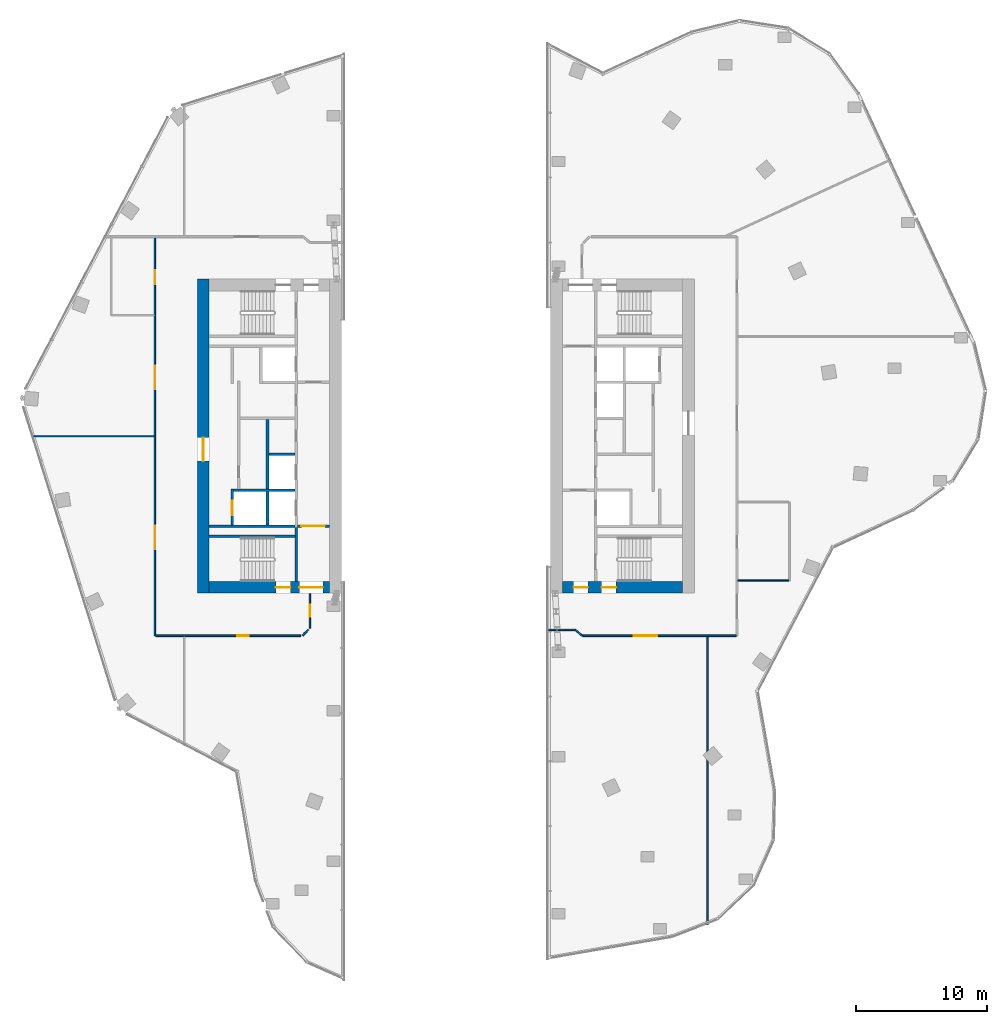
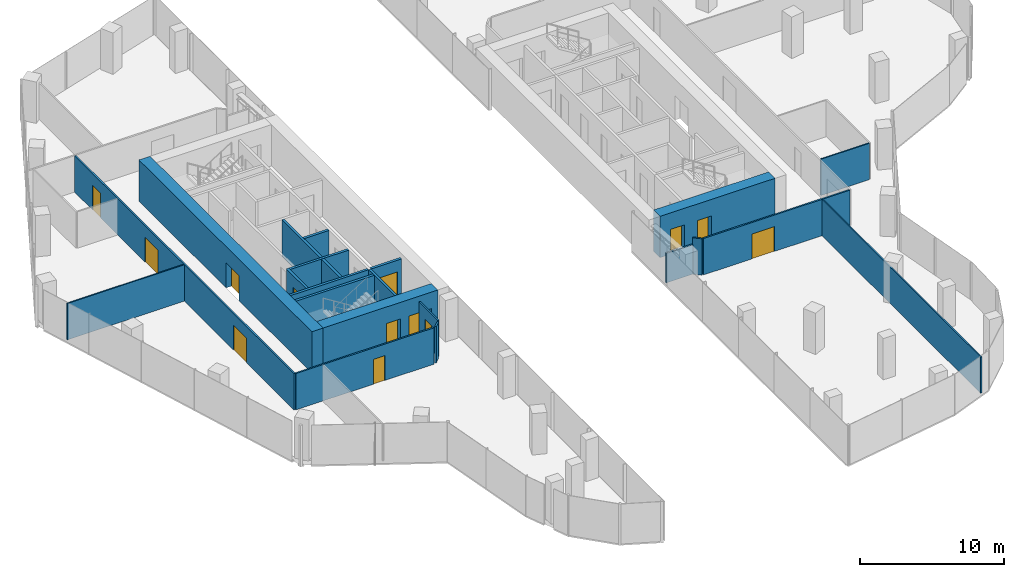
# One storey, part 18 of 23: 22 walls, 13 doors, 13 openings.
"""IFC4 building model written with IfcOpenShell, lengths in metres."""

from ifc_helpers import new_model, si_unit, direction, frame, frame_2d, origin, place, context, subcontext, project, spatial, rectangle, extrude, material, layer, layer_set, type_object, element, fill, save


model = new_model("IFC4")

# Units and contexts
model_context = context("Model", 3, precision=1e-05, world=origin(), true_north=direction((0.0, 1.0)))
body_context = subcontext(model_context, "Body", "Model", "MODEL_VIEW")
ifc_project = project(units=[si_unit("LENGTHUNIT", "METRE"), si_unit("AREAUNIT", "SQUARE_METRE"), si_unit("VOLUMEUNIT", "CUBIC_METRE"), si_unit("PLANEANGLEUNIT", "RADIAN"), si_unit("MASSUNIT", "GRAM", prefix="KILO")], contexts=[model_context])

# Site, building, storey
site_placement = place(None, origin())
site = spatial("IfcSite", under=ifc_project, at=site_placement, CompositionType="ELEMENT")
building_placement = place(site_placement, origin())
building = spatial("IfcBuilding", under=site, at=building_placement, Name="Orlundy Tower", CompositionType="ELEMENT")
storey_placement = place(building_placement, frame((0.0, 0.0, 260.5)))
storey = spatial("IfcBuildingStorey", under=building, at=storey_placement, Name="L69", CompositionType="ELEMENT", Elevation=260.5)

# Wall, openings, doors
ifc_material_1 = material(Name="Concrete C60/75", Category="concrete")
ifc_layer_1 = layer(ifc_material_1, 0.89990234375)
ifc_layer_set_1 = layer_set([ifc_layer_1], Name="CORE WALL 900 C60/75")
wall_type_1 = type_object("IfcWallType", Name="CORE WALL 900 C60/75", PredefinedType="SHEAR", material=ifc_layer_set_1)
wall_1_placement = place(storey_placement, frame((-18.10009765625, -11.550048828125, 0.0), z_axis=(0.0, 0.0, 1.0), x_axis=(1.0, 0.0, 0.0)))
wall_1 = element("IfcWall", 1, at=wall_1_placement, inside=storey, type_object=wall_type_1, Name="Core wall W-S L69", PredefinedType="SHEAR", context=body_context, shape_type="SweptSolid", body=[
    extrude(rectangle(XDim=9.2001953125, YDim=0.89990234375, at=frame_2d((4.60009765625, 0.0))), origin(), (0.0, 0.0, 1.0), 3.5),
])
opening_1_placement = place(wall_1_placement, frame((6.89990234375, 0.0, 0.0)))
opening_1 = element("IfcOpeningElement", 2, at=opening_1_placement, cuts=wall_1, Name="Opening 52012", PredefinedType="OPENING", context=body_context, shape_type="SweptSolid", body=[
    extrude(rectangle(XDim=1.800048828125, YDim=2.10009765625, at=frame_2d((0.89990234375, 1.050048828125))), frame((0.0, 0.4599609375, 0.0), z_axis=(0.0, -1.0, 0.0), x_axis=(1.0, 0.0, 0.0)), (0.0, 0.0, 1.0), 0.919921875),
])
opening_2_placement = place(wall_1_placement, frame((5.10009765625, 0.0, 0.0)))
opening_2 = element("IfcOpeningElement", 3, at=opening_2_placement, cuts=wall_1, Name="Opening 52014", PredefinedType="OPENING", context=body_context, shape_type="SweptSolid", body=[
    extrude(rectangle(XDim=1.10009765625, YDim=2.10009765625, at=frame_2d((0.550048828125, 1.050048828125))), frame((0.0, 0.4599609375, 0.0), z_axis=(0.0, -1.0, 0.0), x_axis=(1.0, 0.0, 0.0)), (0.0, 0.0, 1.0), 0.919921875),
])
ifc_material_2 = material(Name="Timber door set", Category="wood")
door_type_1 = type_object("IfcDoorType", Name="Lobby Door 1800x2100", OperationType="DOUBLE_DOOR_DOUBLE_SWING", PredefinedType="DOOR", material=ifc_material_2)
door_1_placement = place(opening_1_placement, origin())
door_1 = element("IfcDoor", 4, at=door_1_placement, inside=storey, type_object=door_type_1, Name="Passage door 52012", OperationType="SINGLE_SWING_RIGHT", OverallHeight=2.10009765625, OverallWidth=1.800048828125, PredefinedType="DOOR", context=body_context, shape_type="SweptSolid", body=[
    extrude(rectangle(XDim=1.800048828125, YDim=2.10009765625, at=frame_2d((0.89990234375, 1.050048828125))), frame((0.0, 0.02490234375, 0.0), z_axis=(0.0, -1.0, 0.0), x_axis=(1.0, 0.0, 0.0)), (0.0, 0.0, 1.0), 0.050048828125),
])
fill(opening_1, door_1)
ifc_material_3 = material(Name="Steel door set", Category="steel")
door_type_2 = type_object("IfcDoorType", Name="Stair Door 1100x2100", OperationType="SINGLE_SWING_LEFT", PredefinedType="DOOR", material=ifc_material_3)
door_2_placement = place(opening_2_placement, origin())
door_2 = element("IfcDoor", 5, at=door_2_placement, inside=storey, type_object=door_type_2, Name="Stair door 52014", OperationType="SINGLE_SWING_RIGHT", OverallHeight=2.10009765625, OverallWidth=1.10009765625, PredefinedType="DOOR", context=body_context, shape_type="SweptSolid", body=[
    extrude(rectangle(XDim=1.10009765625, YDim=2.10009765625, at=frame_2d((0.550048828125, 1.050048828125))), frame((0.0, 0.02490234375, 0.0), z_axis=(0.0, -1.0, 0.0), x_axis=(1.0, 0.0, 0.0)), (0.0, 0.0, 1.0), 0.050048828125),
])
fill(opening_2, door_2)

# Wall, opening, door
wall_2_placement = place(storey_placement, frame((-18.550048828125, -12.0, 0.0), z_axis=(0.0, 0.0, 1.0), x_axis=(0.0, 1.0, 0.0)))
wall_2 = element("IfcWall", 6, at=wall_2_placement, inside=storey, type_object=wall_type_1, Name="Core wall W-W L69", PredefinedType="SHEAR", context=body_context, shape_type="SweptSolid", body=[
    extrude(rectangle(XDim=24.0, YDim=0.89990234375, at=frame_2d((12.0, 0.0))), origin(), (0.0, 0.0, 1.0), 3.5),
])
opening_3_placement = place(wall_2_placement, frame((10.10009765625, 0.0, 0.0)))
opening_3 = element("IfcOpeningElement", 7, at=opening_3_placement, cuts=wall_2, Name="Opening 52008", PredefinedType="OPENING", context=body_context, shape_type="SweptSolid", body=[
    extrude(rectangle(XDim=1.800048828125, YDim=2.10009765625, at=frame_2d((0.89990234375, 1.050048828125))), frame((0.0, 0.4599609375, 0.0), z_axis=(0.0, -1.0, 0.0), x_axis=(1.0, 0.0, 0.0)), (0.0, 0.0, 1.0), 0.919921875),
])
door_3_placement = place(opening_3_placement, origin())
door_3 = element("IfcDoor", 8, at=door_3_placement, inside=storey, type_object=door_type_1, Name="Lift lobby door 52008", OperationType="SINGLE_SWING_LEFT", OverallHeight=2.10009765625, OverallWidth=1.800048828125, PredefinedType="DOOR", context=body_context, shape_type="SweptSolid", body=[
    extrude(rectangle(XDim=1.800048828125, YDim=2.10009765625, at=frame_2d((0.89990234375, 1.050048828125))), frame((0.0, 0.02490234375, 0.0), z_axis=(0.0, -1.0, 0.0), x_axis=(1.0, 0.0, 0.0)), (0.0, 0.0, 1.0), 0.050048828125),
])
fill(opening_3, door_3)

# Wall, openings, doors
wall_3_placement = place(storey_placement, frame((8.89990234375, -11.550048828125, 0.0), z_axis=(0.0, 0.0, 1.0), x_axis=(1.0, 0.0, 0.0)))
wall_3 = element("IfcWall", 9, at=wall_3_placement, inside=storey, type_object=wall_type_1, Name="Core wall E-S L69", PredefinedType="SHEAR", context=body_context, shape_type="SweptSolid", body=[
    extrude(rectangle(XDim=9.2001953125, YDim=0.89990234375, at=frame_2d((4.60009765625, 0.0))), origin(), (0.0, 0.0, 1.0), 3.5),
])
opening_4_placement = place(wall_3_placement, frame((0.85009765625, 0.0, 0.0)))
opening_4 = element("IfcOpeningElement", 10, at=opening_4_placement, cuts=wall_3, Name="Opening 52058", PredefinedType="OPENING", context=body_context, shape_type="SweptSolid", body=[
    extrude(rectangle(XDim=1.10009765625, YDim=2.10009765625, at=frame_2d((0.550048828125, 1.050048828125))), frame((0.0, 0.4599609375, 0.0), z_axis=(0.0, -1.0, 0.0), x_axis=(1.0, 0.0, 0.0)), (0.0, 0.0, 1.0), 0.919921875),
])
opening_5_placement = place(wall_3_placement, frame((3.0, 0.0, 0.0)))
opening_5 = element("IfcOpeningElement", 11, at=opening_5_placement, cuts=wall_3, Name="Opening 52062", PredefinedType="OPENING", context=body_context, shape_type="SweptSolid", body=[
    extrude(rectangle(XDim=1.10009765625, YDim=2.10009765625, at=frame_2d((0.550048828125, 1.050048828125))), frame((0.0, 0.4599609375, 0.0), z_axis=(0.0, -1.0, 0.0), x_axis=(1.0, 0.0, 0.0)), (0.0, 0.0, 1.0), 0.919921875),
])
ifc_material_4 = material(Name="Steel door set", Category="steel")
door_type_3 = type_object("IfcDoorType", Name="Fire-fighting Lobby Door 1100x2100", OperationType="SINGLE_SWING_LEFT", PredefinedType="DOOR", material=ifc_material_4)
door_4_placement = place(opening_4_placement, origin())
door_4 = element("IfcDoor", 12, at=door_4_placement, inside=storey, type_object=door_type_3, Name="Fire-fighting lobby door 52058", OperationType="SINGLE_SWING_LEFT", OverallHeight=2.10009765625, OverallWidth=1.10009765625, PredefinedType="DOOR", context=body_context, shape_type="SweptSolid", body=[
    extrude(rectangle(XDim=1.10009765625, YDim=2.10009765625, at=frame_2d((0.550048828125, 1.050048828125))), frame((0.0, 0.02490234375, 0.0), z_axis=(0.0, -1.0, 0.0), x_axis=(1.0, 0.0, 0.0)), (0.0, 0.0, 1.0), 0.050048828125),
])
fill(opening_4, door_4)
door_5_placement = place(opening_5_placement, origin())
door_5 = element("IfcDoor", 13, at=door_5_placement, inside=storey, type_object=door_type_2, Name="Stair door 52062", OperationType="SINGLE_SWING_LEFT", OverallHeight=2.10009765625, OverallWidth=1.10009765625, PredefinedType="DOOR", context=body_context, shape_type="SweptSolid", body=[
    extrude(rectangle(XDim=1.10009765625, YDim=2.10009765625, at=frame_2d((0.550048828125, 1.050048828125))), frame((0.0, 0.02490234375, 0.0), z_axis=(0.0, -1.0, 0.0), x_axis=(1.0, 0.0, 0.0)), (0.0, 0.0, 1.0), 0.050048828125),
])
fill(opening_5, door_5)

# Walls
ifc_material_5 = material(Name="Gypsum board partition")
ifc_layer_2 = layer(ifc_material_5, 0.10009765625)
ifc_layer_set_2 = layer_set([ifc_layer_2], Name="Floor partition 100")
wall_type_2 = type_object("IfcWallType", Name="Floor partition 100", PredefinedType="PARTITIONING", material=ifc_layer_set_2)
wall_4_placement = place(storey_placement, frame((22.31396484375, -11.030029296875, 0.0), z_axis=(0.0, 0.0, 1.0), x_axis=(1.0, 0.0, 0.0)))
element("IfcWall", 14, at=wall_4_placement, inside=storey, type_object=wall_type_2, Name="wall-int-L69-004", PredefinedType="PARTITIONING", context=body_context, shape_type="SweptSolid", body=[
    extrude(rectangle(XDim=3.885009765625, YDim=0.10009765625, at=frame_2d((1.9423828125, 0.0))), origin(), (0.0, 0.0, 1.0), 3.080078125),
])
wall_5_placement = place(storey_placement, frame((-31.68994140625, 0.0, 0.0), z_axis=(0.0, 0.0, 1.0), x_axis=(1.0, 0.0, 0.0)))
element("IfcWall", 15, at=wall_5_placement, inside=storey, type_object=wall_type_2, Name="wall-int-L69-006", PredefinedType="PARTITIONING", context=body_context, shape_type="SweptSolid", body=[
    extrude(rectangle(XDim=9.3779296875, YDim=0.10009765625, at=frame_2d((4.68896484375, 0.0))), origin(), (0.0, 0.0, 1.0), 3.080078125),
])
wall_6_placement = place(storey_placement, frame((20.0, -37.323974609375, 0.0), z_axis=(0.0, 0.0, 1.0), x_axis=(0.0, 1.0, 0.0)))
element("IfcWall", 16, at=wall_6_placement, inside=storey, type_object=wall_type_2, Name="wall-int-L69-017", PredefinedType="PARTITIONING", context=body_context, shape_type="SweptSolid", body=[
    extrude(rectangle(XDim=22.011962890625, YDim=0.10009765625, at=frame_2d((11.005859375, 0.0))), origin(), (0.0, 0.0, 1.0), 3.080078125),
])

# Wall, opening, door
ifc_material_6 = material(Name="Gypsum board partition, double layer")
ifc_layer_3 = layer(ifc_material_6, 0.125)
ifc_layer_set_3 = layer_set([ifc_layer_3], Name="Floor partition 125")
wall_type_3 = type_object("IfcWallType", Name="Floor partition 125", PredefinedType="PARTITIONING", material=ifc_layer_set_3)
wall_7_placement = place(storey_placement, frame((-11.10595703125, -15.25, 0.0), z_axis=(0.0, 0.0, 1.0), x_axis=(-1.0, 0.0, 0.0)))
wall_7 = element("IfcWall", 17, at=wall_7_placement, inside=storey, type_object=wall_type_3, Name="wall-int-L69-001", PredefinedType="PARTITIONING", context=body_context, shape_type="SweptSolid", body=[
    extrude(rectangle(XDim=11.08203125, YDim=0.125, at=frame_2d((5.541015625, 0.0))), origin(), (0.0, 0.0, 1.0), 3.080078125),
])
opening_6_placement = place(wall_7_placement, frame((3.951904296875, 0.0, 0.0)))
opening_6 = element("IfcOpeningElement", 18, at=opening_6_placement, cuts=wall_7, Name="Opening 52101", PredefinedType="OPENING", context=body_context, shape_type="SweptSolid", body=[
    extrude(rectangle(XDim=0.89990234375, YDim=2.10009765625, at=frame_2d((0.449951171875, 1.050048828125))), frame((0.0, 0.072509765625, 0.0), z_axis=(0.0, -1.0, 0.0), x_axis=(1.0, 0.0, 0.0)), (0.0, 0.0, 1.0), 0.14501953125),
])
ifc_material_7 = material(Name="Timber door leaf", Category="wood")
door_type_4 = type_object("IfcDoorType", Name="Floor door single 900 FD30S", OperationType="NOTDEFINED", PredefinedType="DOOR", material=ifc_material_7)
door_6_placement = place(opening_6_placement, origin())
door_6 = element("IfcDoor", 19, at=door_6_placement, inside=storey, type_object=door_type_4, Name="Door 52101", OperationType="SINGLE_SWING_LEFT", OverallHeight=2.10009765625, OverallWidth=0.89990234375, PredefinedType="DOOR", context=body_context, shape_type="SweptSolid", body=[
    extrude(rectangle(XDim=0.89990234375, YDim=2.10009765625, at=frame_2d((0.449951171875, 1.050048828125))), frame((0.0, 0.02490234375, 0.0), z_axis=(0.0, -1.0, 0.0), x_axis=(1.0, 0.0, 0.0)), (0.0, 0.0, 1.0), 0.050048828125),
])
fill(opening_6, door_6)

wall_8_placement = place(storey_placement, frame((22.18896484375, -15.25, 0.0), z_axis=(0.0, 0.0, 1.0), x_axis=(-1.0, 0.0, 0.0)))
wall_8 = element("IfcWall", 20, at=wall_8_placement, inside=storey, type_object=wall_type_3, Name="wall-int-L69-002", PredefinedType="PARTITIONING", context=body_context, shape_type="SweptSolid", body=[
    extrude(rectangle(XDim=11.72607421875, YDim=0.125, at=frame_2d((5.863037109375, 0.0))), origin(), (0.0, 0.0, 1.0), 3.080078125),
])
opening_7_placement = place(wall_8_placement, frame((6.03857421875, 0.0, 0.0)))
opening_7 = element("IfcOpeningElement", 21, at=opening_7_placement, cuts=wall_8, Name="Opening 52103", PredefinedType="OPENING", context=body_context, shape_type="SweptSolid", body=[
    extrude(rectangle(XDim=1.800048828125, YDim=2.10009765625, at=frame_2d((0.89990234375, 1.050048828125))), frame((0.0, 0.072509765625, 0.0), z_axis=(0.0, -1.0, 0.0), x_axis=(1.0, 0.0, 0.0)), (0.0, 0.0, 1.0), 0.14501953125),
])
ifc_material_8 = material(Name="Timber door leaf", Category="wood")
door_type_5 = type_object("IfcDoorType", Name="Floor door double 1800 FD30S", OperationType="NOTDEFINED", PredefinedType="DOOR", material=ifc_material_8)
door_7_placement = place(opening_7_placement, origin())
door_7 = element("IfcDoor", 22, at=door_7_placement, inside=storey, type_object=door_type_5, Name="Door 52103", OperationType="DOUBLE_DOOR_SINGLE_SWING", OverallHeight=2.10009765625, OverallWidth=1.800048828125, PredefinedType="DOOR", context=body_context, shape_type="SweptSolid", body=[
    extrude(rectangle(XDim=1.800048828125, YDim=2.10009765625, at=frame_2d((0.89990234375, 1.050048828125))), frame((0.0, 0.02490234375, 0.0), z_axis=(0.0, -1.0, 0.0), x_axis=(1.0, 0.0, 0.0)), (0.0, 0.0, 1.0), 0.050048828125),
])
fill(opening_7, door_7)

# Walls
wall_9_placement = place(storey_placement, frame((-10.949951171875, -15.22900390625, 0.0), z_axis=(0.0, 0.0, 1.0), x_axis=(0.698110320765, 0.715990209459, 0.0)))
element("IfcWall", 23, at=wall_9_placement, inside=storey, type_object=wall_type_3, Name="wall-int-L69-013", PredefinedType="PARTITIONING", context=body_context, shape_type="SweptSolid", body=[
    extrude(rectangle(XDim=0.614501953125, YDim=0.125, at=frame_2d((0.30712890625, 0.0))), origin(), (0.0, 0.0, 1.0), 3.080078125),
])
wall_10_placement = place(storey_placement, frame((10.39990234375, -15.25, 0.0), z_axis=(0.0, 0.0, 1.0), x_axis=(-0.751218826875, 0.660053235845, 0.0)))
element("IfcWall", 24, at=wall_10_placement, inside=storey, type_object=wall_type_3, Name="wall-int-L69-018", PredefinedType="PARTITIONING", context=body_context, shape_type="SweptSolid", body=[
    extrude(rectangle(XDim=0.68017578125, YDim=0.125, at=frame_2d((0.340087890625, 0.0))), origin(), (0.0, 0.0, 1.0), 3.080078125),
])

# Wall, opening, door
wall_11_placement = place(storey_placement, frame((-10.39892578125, -12.050048828125, 0.0), z_axis=(0.0, 0.0, 1.0), x_axis=(0.0, -1.0, 0.0)))
wall_11 = element("IfcWall", 25, at=wall_11_placement, inside=storey, type_object=wall_type_3, Name="wall-int-L69-020", PredefinedType="PARTITIONING", context=body_context, shape_type="SweptSolid", body=[
    extrude(rectangle(XDim=2.620849609375, YDim=0.125, at=frame_2d((1.310546875, 0.0))), origin(), (0.0, 0.0, 1.0), 3.080078125),
])
opening_8_placement = place(wall_11_placement, frame((0.85009765625, 0.0, 0.0)))
opening_8 = element("IfcOpeningElement", 26, at=opening_8_placement, cuts=wall_11, Name="Opening 52102", PredefinedType="OPENING", context=body_context, shape_type="SweptSolid", body=[
    extrude(rectangle(XDim=0.89990234375, YDim=2.10009765625, at=frame_2d((0.449951171875, 1.050048828125))), frame((0.0, 0.072509765625, 0.0), z_axis=(0.0, -1.0, 0.0), x_axis=(1.0, 0.0, 0.0)), (0.0, 0.0, 1.0), 0.14501953125),
])
door_8_placement = place(opening_8_placement, origin())
door_8 = element("IfcDoor", 27, at=door_8_placement, inside=storey, type_object=door_type_4, Name="Door 52102", OperationType="SINGLE_SWING_LEFT", OverallHeight=2.10009765625, OverallWidth=0.89990234375, PredefinedType="DOOR", context=body_context, shape_type="SweptSolid", body=[
    extrude(rectangle(XDim=0.89990234375, YDim=2.10009765625, at=frame_2d((0.449951171875, 1.050048828125))), frame((0.0, 0.02490234375, 0.0), z_axis=(0.0, -1.0, 0.0), x_axis=(1.0, 0.0, 0.0)), (0.0, 0.0, 1.0), 0.050048828125),
])
fill(opening_8, door_8)

# Wall, openings, doors
wall_12_placement = place(storey_placement, frame((-22.25, -15.25, 0.0), z_axis=(0.0, 0.0, 1.0), x_axis=(0.0, 1.0, 0.0)))
wall_12 = element("IfcWall", 28, at=wall_12_placement, inside=storey, type_object=wall_type_3, Name="wall-int-L69-024", PredefinedType="PARTITIONING", context=body_context, shape_type="SweptSolid", body=[
    extrude(rectangle(XDim=30.43701171875, YDim=0.125, at=frame_2d((15.218505859375, 0.0))), origin(), (0.0, 0.0, 1.0), 3.080078125),
])
opening_9_placement = place(wall_12_placement, frame((6.60009765625, 0.0, 0.0)))
opening_9 = element("IfcOpeningElement", 29, at=opening_9_placement, cuts=wall_12, Name="Opening 52100", PredefinedType="OPENING", context=body_context, shape_type="SweptSolid", body=[
    extrude(rectangle(XDim=1.800048828125, YDim=2.10009765625, at=frame_2d((0.89990234375, 1.050048828125))), frame((0.0, 0.072509765625, 0.0), z_axis=(0.0, -1.0, 0.0), x_axis=(1.0, 0.0, 0.0)), (0.0, 0.0, 1.0), 0.14501953125),
])
opening_10_placement = place(wall_12_placement, frame((18.85009765625, 0.0, 0.0)))
opening_10 = element("IfcOpeningElement", 30, at=opening_10_placement, cuts=wall_12, Name="Opening 52109", PredefinedType="OPENING", context=body_context, shape_type="SweptSolid", body=[
    extrude(rectangle(XDim=1.800048828125, YDim=2.10009765625, at=frame_2d((0.89990234375, 1.050048828125))), frame((0.0, 0.072509765625, 0.0), z_axis=(0.0, -1.0, 0.0), x_axis=(1.0, 0.0, 0.0)), (0.0, 0.0, 1.0), 0.14501953125),
])
opening_11_placement = place(wall_12_placement, frame((26.84912109375, 0.0, 0.0)))
opening_11 = element("IfcOpeningElement", 31, at=opening_11_placement, cuts=wall_12, Name="Opening 52111", PredefinedType="OPENING", context=body_context, shape_type="SweptSolid", body=[
    extrude(rectangle(XDim=1.10009765625, YDim=2.10009765625, at=frame_2d((0.550048828125, 1.050048828125))), frame((0.0, 0.072509765625, 0.0), z_axis=(0.0, -1.0, 0.0), x_axis=(1.0, 0.0, 0.0)), (0.0, 0.0, 1.0), 0.14501953125),
])
door_9_placement = place(opening_9_placement, origin())
door_9 = element("IfcDoor", 32, at=door_9_placement, inside=storey, type_object=door_type_5, Name="Door 52100", OperationType="DOUBLE_DOOR_SINGLE_SWING", OverallHeight=2.10009765625, OverallWidth=1.800048828125, PredefinedType="DOOR", context=body_context, shape_type="SweptSolid", body=[
    extrude(rectangle(XDim=1.800048828125, YDim=2.10009765625, at=frame_2d((0.89990234375, 1.050048828125))), frame((0.0, 0.02490234375, 0.0), z_axis=(0.0, -1.0, 0.0), x_axis=(1.0, 0.0, 0.0)), (0.0, 0.0, 1.0), 0.050048828125),
])
fill(opening_9, door_9)
door_10_placement = place(opening_10_placement, origin())
door_10 = element("IfcDoor", 33, at=door_10_placement, inside=storey, type_object=door_type_5, Name="Door 52109", OperationType="DOUBLE_DOOR_SINGLE_SWING", OverallHeight=2.10009765625, OverallWidth=1.800048828125, PredefinedType="DOOR", context=body_context, shape_type="SweptSolid", body=[
    extrude(rectangle(XDim=1.800048828125, YDim=2.10009765625, at=frame_2d((0.89990234375, 1.050048828125))), frame((0.0, 0.02490234375, 0.0), z_axis=(0.0, -1.0, 0.0), x_axis=(1.0, 0.0, 0.0)), (0.0, 0.0, 1.0), 0.050048828125),
])
fill(opening_10, door_10)
ifc_material_9 = material(Name="Timber door leaf", Category="wood")
door_type_6 = type_object("IfcDoorType", Name="Floor door xwide 1100 FD30S", OperationType="NOTDEFINED", PredefinedType="DOOR", material=ifc_material_9)
door_11_placement = place(opening_11_placement, origin())
door_11 = element("IfcDoor", 34, at=door_11_placement, inside=storey, type_object=door_type_6, Name="Door 52111", OperationType="SINGLE_SWING_RIGHT", OverallHeight=2.10009765625, OverallWidth=1.10009765625, PredefinedType="DOOR", context=body_context, shape_type="SweptSolid", body=[
    extrude(rectangle(XDim=1.10009765625, YDim=2.10009765625, at=frame_2d((0.550048828125, 1.050048828125))), frame((0.0, 0.02490234375, 0.0), z_axis=(0.0, -1.0, 0.0), x_axis=(1.0, 0.0, 0.0)), (0.0, 0.0, 1.0), 0.050048828125),
])
fill(opening_11, door_11)

# Walls
ifc_material_10 = material(Name="Gypsum board partition, double layer")
ifc_layer_4 = layer(ifc_material_10, 0.125)
ifc_layer_set_4 = layer_set([ifc_layer_4], Name="Floor partition 125 B")
wall_type_4 = type_object("IfcWallType", Name="Floor partition 125 B", PredefinedType="PARTITIONING", material=ifc_layer_set_4)
wall_13_placement = place(storey_placement, frame((7.75, -14.801025390625, 0.0), z_axis=(0.0, 0.0, 1.0), x_axis=(1.0, 0.0, 0.0)))
element("IfcWall", 35, at=wall_13_placement, inside=storey, type_object=wall_type_4, Name="wall-int-L69-003", PredefinedType="PARTITIONING", context=body_context, shape_type="SweptSolid", body=[
    extrude(rectangle(XDim=2.138916015625, YDim=0.125, at=frame_2d((1.0693359375, 0.0))), origin(), (0.0, 0.0, 1.0), 2.496337890625),
])
ifc_material_11 = material(Name="Concrete C40/50", Category="concrete")
ifc_layer_5 = layer(ifc_material_11, 0.199951171875)
ifc_layer_set_5 = layer_set([ifc_layer_5], Name="Load-bearing Shaft Wall 200")
wall_type_5 = type_object("IfcWallType", Name="Load-bearing Shaft Wall 200", PredefinedType="SOLIDWALL", material=ifc_layer_set_5)
wall_14_placement = place(storey_placement, frame((-11.43994140625, -11.10009765625, 0.0), z_axis=(0.0, 0.0, 1.0), x_axis=(0.0, 1.0, 0.0)))
element("IfcWall", 36, at=wall_14_placement, inside=storey, type_object=wall_type_5, Name="Shaft wall W52-stair-end-s", PredefinedType="SOLIDWALL", context=body_context, shape_type="SweptSolid", body=[
    extrude(rectangle(XDim=4.125, YDim=0.199951171875, at=frame_2d((2.0625, 0.0))), origin(), (0.0, 0.0, 1.0), 3.090087890625),
])
wall_15_placement = place(storey_placement, frame((-11.5400390625, -7.64990234375, 0.0), z_axis=(0.0, 0.0, 1.0), x_axis=(-1.0, 0.0, 0.0)))
element("IfcWall", 37, at=wall_15_placement, inside=storey, type_object=wall_type_5, Name="Shaft wall W52-stair-side-s", PredefinedType="SOLIDWALL", context=body_context, shape_type="SweptSolid", body=[
    extrude(rectangle(XDim=6.56005859375, YDim=0.199951171875, at=frame_2d((3.280029296875, 0.0))), origin(), (0.0, 0.0, 1.0), 3.090087890625),
])

# Wall, opening, door
ifc_material_12 = material(Name="Gypsum board partition on steel studs", Category="steel")
ifc_layer_6 = layer(ifc_material_12, 0.199951171875)
ifc_layer_set_6 = layer_set([ifc_layer_6], Name="Partition 200")
wall_type_6 = type_object("IfcWallType", Name="Partition 200", PredefinedType="PARTITIONING", material=ifc_layer_set_6)
wall_16_placement = place(storey_placement, frame((-8.89990234375, -6.875, 0.0), z_axis=(0.0, 0.0, 1.0), x_axis=(-1.0, 0.0, 0.0)))
wall_16 = element("IfcWall", 38, at=wall_16_placement, inside=storey, type_object=wall_type_6, Name="Partition wall W52-end-s", PredefinedType="PARTITIONING", context=body_context, shape_type="SweptSolid", body=[
    extrude(rectangle(XDim=2.440185546875, YDim=0.199951171875, at=frame_2d((1.22021484375, 0.0))), origin(), (0.0, 0.0, 1.0), 3.090087890625),
])
opening_12_placement = place(wall_16_placement, frame((0.35009765625, 0.0, 0.0)))
opening_12 = element("IfcOpeningElement", 39, at=opening_12_placement, cuts=wall_16, Name="Opening 52011", PredefinedType="OPENING", context=body_context, shape_type="SweptSolid", body=[
    extrude(rectangle(XDim=1.800048828125, YDim=2.10009765625, at=frame_2d((0.89990234375, 1.050048828125))), frame((0.0, 0.110107421875, 0.0), z_axis=(0.0, -1.0, 0.0), x_axis=(1.0, 0.0, 0.0)), (0.0, 0.0, 1.0), 0.22021484375),
])
door_12_placement = place(opening_12_placement, origin())
door_12 = element("IfcDoor", 40, at=door_12_placement, inside=storey, type_object=door_type_1, Name="Lift lobby to passage door 52011", OperationType="DOUBLE_DOOR_DOUBLE_SWING", OverallHeight=2.10009765625, OverallWidth=1.800048828125, PredefinedType="DOOR", context=body_context, shape_type="SweptSolid", body=[
    extrude(rectangle(XDim=1.800048828125, YDim=2.10009765625, at=frame_2d((0.89990234375, 1.050048828125))), frame((0.0, 0.02490234375, 0.0), z_axis=(0.0, -1.0, 0.0), x_axis=(1.0, 0.0, 0.0)), (0.0, 0.0, 1.0), 0.050048828125),
])
fill(opening_12, door_12)

# Walls
ifc_material_13 = material(Name="Fire-rated blockwork shaft wall", Category="masonry")
ifc_layer_7 = layer(ifc_material_13, 0.199951171875)
ifc_layer_set_7 = layer_set([ifc_layer_7], Name="Shaft Wall 200")
wall_type_7 = type_object("IfcWallType", Name="Shaft Wall 200", PredefinedType="SOLIDWALL", material=ifc_layer_set_7)
wall_17_placement = place(storey_placement, frame((-11.5400390625, -6.875, 0.0), z_axis=(0.0, 0.0, 1.0), x_axis=(-1.0, 0.0, 0.0)))
element("IfcWall", 41, at=wall_17_placement, inside=storey, type_object=wall_type_7, Name="Shaft wall W52-zone-s", PredefinedType="SOLIDWALL", context=body_context, shape_type="SweptSolid", body=[
    extrude(rectangle(XDim=6.56005859375, YDim=0.199951171875, at=frame_2d((3.280029296875, 0.0))), origin(), (0.0, 0.0, 1.0), 3.090087890625),
])
wall_18_placement = place(storey_placement, frame((-11.5400390625, -4.125, 0.0), z_axis=(0.0, 0.0, 1.0), x_axis=(-1.0, 0.0, 0.0)))
element("IfcWall", 42, at=wall_18_placement, inside=storey, type_object=wall_type_7, Name="Shaft wall W52-cross-4.125", PredefinedType="SOLIDWALL", context=body_context, shape_type="SweptSolid", body=[
    extrude(rectangle(XDim=4.699951171875, YDim=0.199951171875, at=frame_2d((2.35009765625, 0.0))), origin(), (0.0, 0.0, 1.0), 3.090087890625),
])
wall_19_placement = place(storey_placement, frame((-11.5400390625, -1.375, 0.0), z_axis=(0.0, 0.0, 1.0), x_axis=(-1.0, 0.0, 0.0)))
element("IfcWall", 43, at=wall_19_placement, inside=storey, type_object=wall_type_7, Name="Shaft wall W52-cross-1.375", PredefinedType="SOLIDWALL", context=body_context, shape_type="SweptSolid", body=[
    extrude(rectangle(XDim=2.0, YDim=0.199951171875, at=frame_2d((1.0, 0.0))), origin(), (0.0, 0.0, 1.0), 3.090087890625),
])
wall_20_placement = place(storey_placement, frame((-13.639892578125, -6.77490234375, 0.0), z_axis=(0.0, 0.0, 1.0), x_axis=(0.0, 1.0, 0.0)))
element("IfcWall", 44, at=wall_20_placement, inside=storey, type_object=wall_type_7, Name="Shaft wall W52-mid-a", PredefinedType="SOLIDWALL", context=body_context, shape_type="SweptSolid", body=[
    extrude(rectangle(XDim=2.5498046875, YDim=0.199951171875, at=frame_2d((1.27490234375, 0.0))), origin(), (0.0, 0.0, 1.0), 3.090087890625),
])
wall_21_placement = place(storey_placement, frame((-13.639892578125, -4.02490234375, 0.0), z_axis=(0.0, 0.0, 1.0), x_axis=(0.0, 1.0, 0.0)))
element("IfcWall", 45, at=wall_21_placement, inside=storey, type_object=wall_type_7, Name="Shaft wall W52-mid-a.1", PredefinedType="SOLIDWALL", context=body_context, shape_type="SweptSolid", body=[
    extrude(rectangle(XDim=5.2998046875, YDim=0.199951171875, at=frame_2d((2.64990234375, 0.0))), origin(), (0.0, 0.0, 1.0), 3.090087890625),
])

# Wall, opening, door
wall_22_placement = place(storey_placement, frame((-16.340087890625, -6.77490234375, 0.0), z_axis=(0.0, 0.0, 1.0), x_axis=(0.0, 1.0, 0.0)))
wall_22 = element("IfcWall", 46, at=wall_22_placement, inside=storey, type_object=wall_type_7, Name="Shaft wall W52-front-o-a", PredefinedType="SOLIDWALL", context=body_context, shape_type="SweptSolid", body=[
    extrude(rectangle(XDim=2.75, YDim=0.199951171875, at=frame_2d((1.375, 0.0))), origin(), (0.0, 0.0, 1.0), 3.090087890625),
])
opening_13_placement = place(wall_22_placement, frame((0.72509765625, 0.0, 0.0)))
opening_13 = element("IfcOpeningElement", 47, at=opening_13_placement, cuts=wall_22, Name="Opening 52002", PredefinedType="OPENING", context=body_context, shape_type="SweptSolid", body=[
    extrude(rectangle(XDim=1.10009765625, YDim=2.10009765625, at=frame_2d((0.550048828125, 1.050048828125))), frame((0.0, 0.110107421875, 0.0), z_axis=(0.0, -1.0, 0.0), x_axis=(1.0, 0.0, 0.0)), (0.0, 0.0, 1.0), 0.22021484375),
])
ifc_material_14 = material(Name="Steel door set", Category="steel")
door_type_7 = type_object("IfcDoorType", Name="Landing Door 1100x2100", OperationType="DOUBLE_DOOR_SLIDING", PredefinedType="DOOR", material=ifc_material_14)
door_13_placement = place(opening_13_placement, origin())
door_13 = element("IfcDoor", 48, at=door_13_placement, inside=storey, type_object=door_type_7, Name="Lift landing door LV-01 52002", OperationType="DOUBLE_DOOR_SLIDING", OverallHeight=2.10009765625, OverallWidth=1.10009765625, PredefinedType="DOOR", context=body_context, shape_type="SweptSolid", body=[
    extrude(rectangle(XDim=1.10009765625, YDim=2.10009765625, at=frame_2d((0.550048828125, 1.050048828125))), frame((0.0, 0.02490234375, 0.0), z_axis=(0.0, -1.0, 0.0), x_axis=(1.0, 0.0, 0.0)), (0.0, 0.0, 1.0), 0.050048828125),
])
fill(opening_13, door_13)

save(model, "model.ifc")
